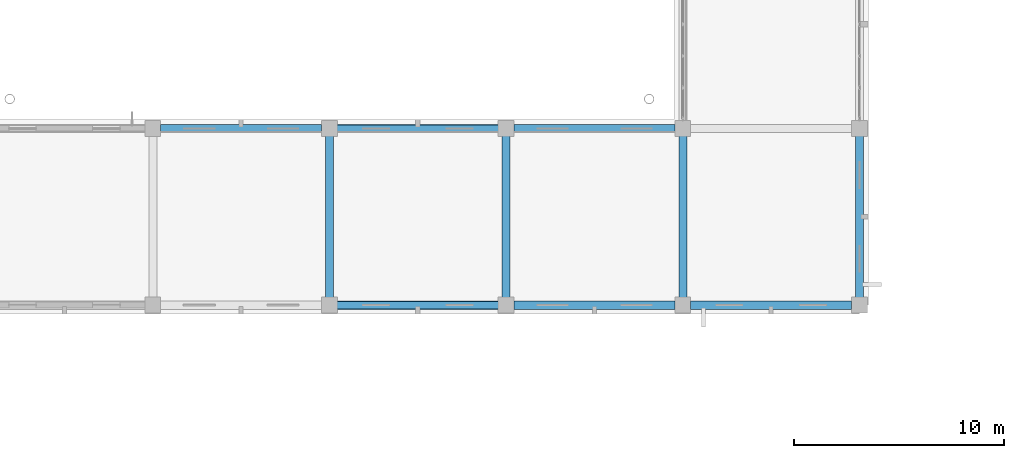
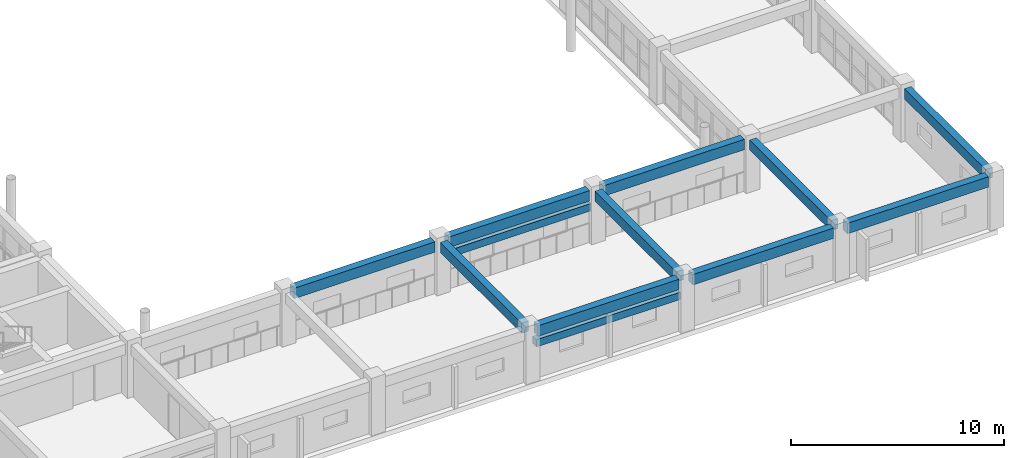
# One storey, part 128 of 200: 12 beams.
"""IFC4 building model written with IfcOpenShell, lengths in metres."""

from ifc_helpers import new_model, si_unit, direction, frame, origin, origin_2d, place, context, subcontext, project, spatial, rectangle, extrude, material, material_profile, profile_set, type_object, element, save


model = new_model("IFC4")

# Units and contexts
model_context = context("Model", 3, precision=1e-05, world=origin(), true_north=direction((0.0, 1.0)))
body_context = subcontext(model_context, "Body", "Model", "MODEL_VIEW")
ifc_project = project(units=[si_unit("LENGTHUNIT", "METRE"), si_unit("AREAUNIT", "SQUARE_METRE"), si_unit("VOLUMEUNIT", "CUBIC_METRE"), si_unit("PLANEANGLEUNIT", "RADIAN"), si_unit("MASSUNIT", "GRAM", prefix="KILO")], contexts=[model_context])

# Site, building, storey
site_placement = place(None, origin())
site = spatial("IfcSite", under=ifc_project, at=site_placement, CompositionType="ELEMENT")
building_placement = place(site_placement, origin())
building = spatial("IfcBuilding", under=site, at=building_placement, Name="Trelvath General Hospital", CompositionType="ELEMENT")
storey_placement = place(building_placement, frame((0.0, 0.0, 4.800048828125)))
storey = spatial("IfcBuildingStorey", under=building, at=storey_placement, Name="L01", CompositionType="ELEMENT", Elevation=4.800048828125)

# Beams
ifc_material_1 = material(Name="Concrete C35/45", Category="concrete")
ifc_material_profile_1 = material_profile(ifc_material_1, rectangle(XDim=0.3798828125, YDim=0.580078125, at=origin_2d()), Name="RCB380x580")
ifc_profile_set_1 = profile_set([ifc_material_profile_1], Name="Concrete C35/45")
beam_type_1 = type_object("IfcBeamType", Name="Beam RC380x580", PredefinedType="BEAM", material=ifc_profile_set_1)
for number, where, z_axis, x_axis, name in (
    (1, (159.60009765625, 17.169921875, 2.72998046875), (0.0, 1.0, 0.0), (-1.0, 0.0, 0.0), "Grid Beam BY-119C"),
    (2, (168.0, 17.169921875, 2.72998046875), (0.0, 1.0, 0.0), (-1.0, 0.0, 0.0), "Grid Beam BY-120C"),
    (3, (176.39990234375, 17.169921875, 2.72998046875), (0.0, 1.0, 0.0), (-1.0, 0.0, 0.0), "Grid Beam BY-121C"),
    (4, (184.800048828125, 17.169921875, 2.72998046875), (0.0, 1.0, 0.0), (-1.0, 0.0, 0.0), "Grid Beam BY-122C"),
):
    element("IfcBeam", number, at=place(storey_placement, frame(where, z_axis=z_axis, x_axis=x_axis)), inside=storey, type_object=beam_type_1, Name=name, PredefinedType="BEAM", context=body_context, shape_type="SweptSolid", body=[
        extrude(rectangle(XDim=0.3798828125, YDim=0.580078125, at=origin_2d()), origin(), (0.0, 0.0, 1.0), 7.66015625),
    ])
ifc_material_2 = material(Name="Concrete C35/45", Category="concrete")
ifc_material_profile_2 = material_profile(ifc_material_2, rectangle(XDim=0.39990234375, YDim=0.60009765625, at=origin_2d()), Name="RCB400x600")
ifc_profile_set_2 = profile_set([ifc_material_profile_2], Name="Concrete C35/45")
beam_type_2 = type_object("IfcBeamType", Name="Beam RC400x600", PredefinedType="BEAM", material=ifc_profile_set_2)
for number, where, z_axis, x_axis, name in (
    (5, (151.570068359375, 25.199951171875, 2.719970703125), (1.0, 0.0, 0.0), (0.0, 1.0, 0.0), "Grid Beam BX-118D"),
    (6, (159.969970703125, 16.800048828125, 2.719970703125), (1.0, 0.0, 0.0), (0.0, 1.0, 0.0), "Grid Beam BX-119C"),
    (7, (159.969970703125, 25.199951171875, 2.719970703125), (1.0, 0.0, 0.0), (0.0, 1.0, 0.0), "Grid Beam BX-119D"),
    (8, (168.3701171875, 16.800048828125, 2.719970703125), (1.0, 0.0, 0.0), (0.0, 1.0, 0.0), "Grid Beam BX-120C"),
    (9, (168.3701171875, 25.199951171875, 2.719970703125), (1.0, 0.0, 0.0), (0.0, 1.0, 0.0), "Grid Beam BX-120D"),
    (10, (176.77001953125, 16.800048828125, 2.719970703125), (1.0, 0.0, 0.0), (0.0, 1.0, 0.0), "Grid Beam BX-121C"),
):
    element("IfcBeam", number, at=place(storey_placement, frame(where, z_axis=z_axis, x_axis=x_axis)), inside=storey, type_object=beam_type_2, Name=name, PredefinedType="BEAM", context=body_context, shape_type="SweptSolid", body=[
        extrude(rectangle(XDim=0.39990234375, YDim=0.60009765625, at=origin_2d()), origin(), (0.0, 0.0, 1.0), 7.659912109375),
    ])
ifc_material_3 = material(Name="Precast concrete C40/50", Category="concrete")
ifc_material_profile_3 = material_profile(ifc_material_3, rectangle(XDim=0.35009765625, YDim=0.419921875, at=origin_2d()), Name="PCL350x420")
ifc_profile_set_3 = profile_set([ifc_material_profile_3], Name="Precast concrete C40/50")
beam_type_3 = type_object("IfcBeamType", Name="Lintel PC350x420", PredefinedType="LINTEL", material=ifc_profile_set_3)
for number, where, z_axis, x_axis, name in (
    (11, (167.7099609375, 16.800048828125, 2.02001953125), (-1.0, 0.0, 0.0), (0.0, -1.0, 0.0), "Precast Window Brow Lintel L01-203"),
    (12, (159.889892578125, 25.199951171875, 2.02001953125), (1.0, 0.0, 0.0), (0.0, 1.0, 0.0), "Precast Window Brow Lintel L01-204"),
):
    element("IfcBeam", number, at=place(storey_placement, frame(where, z_axis=z_axis, x_axis=x_axis)), inside=storey, type_object=beam_type_3, Name=name, PredefinedType="LINTEL", context=body_context, shape_type="SweptSolid", body=[
        extrude(rectangle(XDim=0.35009765625, YDim=0.419921875, at=origin_2d()), origin(), (0.0, 0.0, 1.0), 7.820068359375),
    ])

save(model, "model.ifc")
